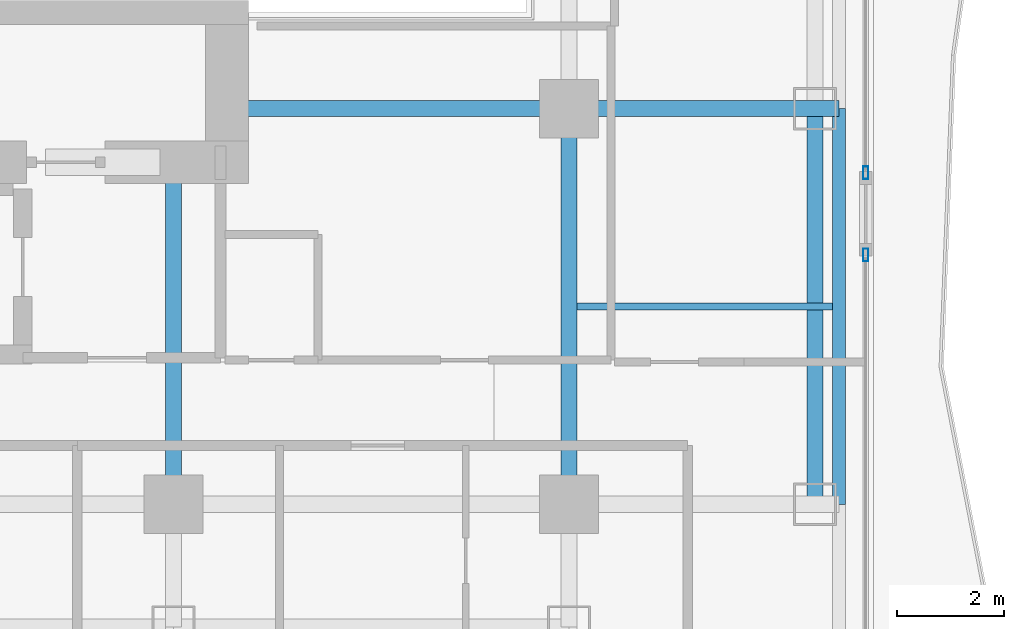
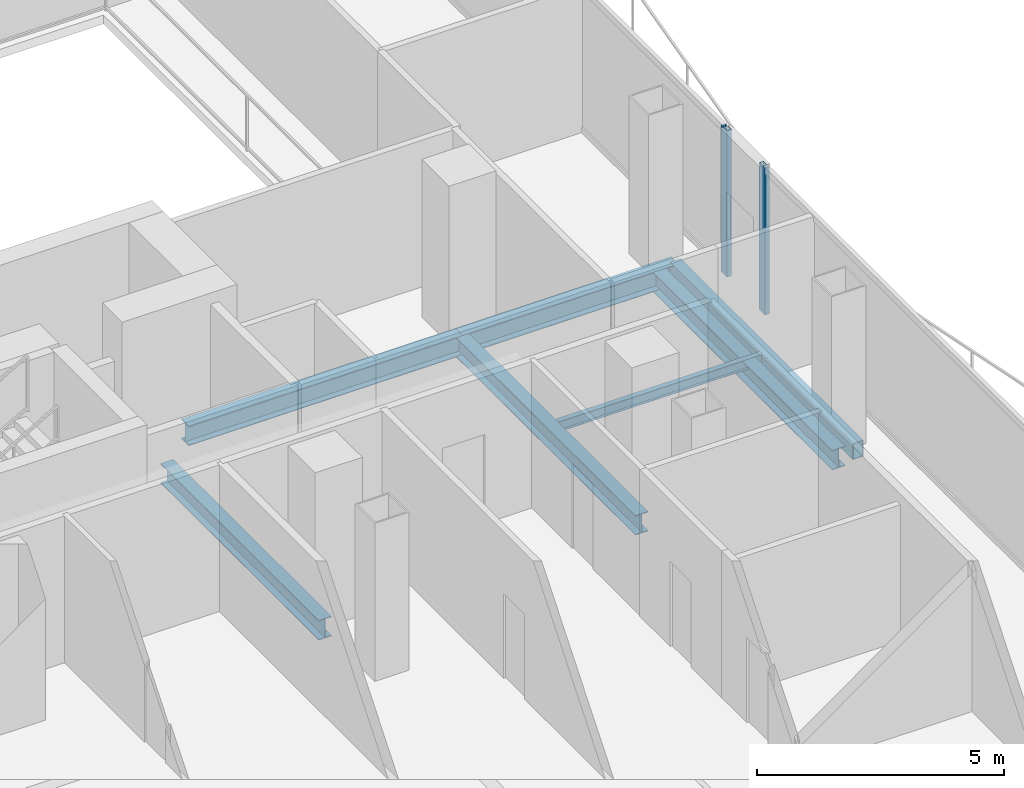
# One storey, part 9 of 23: 7 beams, 2 members, 2 elements without a shape of their own.
"""IFC4 building model written with IfcOpenShell, lengths in metres."""

import ifcopenshell
import ifcopenshell.guid

model = None  # the IFC model being written
_history = None  # IfcOwnerHistory: only IFC2X3 demands one
_inside = {}  # id of a spatial element -> (the spatial element, [elements in it])
_under = {}  # id of a project, library or spatial element -> (it, [spatial elements below it])
_declared = {}  # id of a project -> (the project, [libraries it declares])
_typed = {}  # id of a type object -> (the type object, [elements of that type])
_made_of = {}  # id of a material, layer set ... -> (it, [elements and type objects made of it])


def new_model(schema):
    """Start an empty IFC model of exactly this schema.

    Asked for "IFC4X3", IfcOpenShell would pick the latest addendum, in which some entities
    have other attributes; the version numbers below select the first issue.
    IFC2X3 requires an IfcOwnerHistory on every rooted entity: one is made here for all.
    """
    global model, _history
    if schema == "IFC4X3":
        model = ifcopenshell.file(schema_version=(4, 3, 0, 0))
    else:
        model = ifcopenshell.file(schema=schema)
    _inside.clear()
    _under.clear()
    _declared.clear()
    _typed.clear()
    _made_of.clear()
    _history = None
    if model.schema == "IFC2X3":
        org = make("IfcOrganization", Name="unknown")
        user = make(
            "IfcPersonAndOrganization",
            ThePerson=make("IfcPerson", FamilyName="unknown"),
            TheOrganization=org,
        )
        app = make(
            "IfcApplication",
            ApplicationDeveloper=org,
            Version="unknown",
            ApplicationFullName="unknown",
            ApplicationIdentifier="unknown",
        )
        _history = make(
            "IfcOwnerHistory",
            OwningUser=user,
            OwningApplication=app,
            ChangeAction="ADDED",
            CreationDate=0,
        )
    return model


def make(cls, **values):
    """One entity of the class cls with the attributes given. An attribute that is None is left unset."""
    return model.create_entity(
        cls, **{name: value for name, value in values.items() if value is not None}
    )


def rooted(cls, **values):
    """An entity with a GlobalId (a new one), such as an element, a storey or a relation."""
    return make(cls, GlobalId=ifcopenshell.guid.new(), OwnerHistory=_history, **values)


def si_unit(unit_type, name, prefix=None):
    """IfcSIUnit, for example si_unit("LENGTHUNIT", "METRE", prefix="MILLI")."""
    return make("IfcSIUnit", UnitType=unit_type, Prefix=prefix, Name=name)


def assignment(units):
    """IfcUnitAssignment: the units of a project."""
    return None if units is None else make("IfcUnitAssignment", Units=units)


def point(xyz):
    """IfcCartesianPoint."""
    return None if xyz is None else make("IfcCartesianPoint", Coordinates=xyz)


def direction(xyz):
    """IfcDirection."""
    return None if xyz is None else make("IfcDirection", DirectionRatios=xyz)


def frame(location, z_axis=None, x_axis=None):
    """IfcAxis2Placement3D, a coordinate frame: its origin and axes. An axis left out is left unset."""
    return make(
        "IfcAxis2Placement3D",
        Location=point(location),
        Axis=direction(z_axis),
        RefDirection=direction(x_axis),
    )


def frame_2d(location, x_axis=None):
    """IfcAxis2Placement2D, a coordinate frame in the plane: its origin and x axis."""
    return make(
        "IfcAxis2Placement2D", Location=point(location), RefDirection=direction(x_axis)
    )


def origin():
    """The frame at (0, 0, 0) with its axes left unset."""
    return frame((0.0, 0.0, 0.0))


def origin_2d():
    """The frame at (0, 0) in the plane with its x axis left unset."""
    return frame_2d((0.0, 0.0))


def place(relative_to, where):
    """IfcLocalPlacement: puts the frame where relative to a parent placement (None: the world)."""
    return make(
        "IfcLocalPlacement", PlacementRelTo=relative_to, RelativePlacement=where
    )


def context(
    kind, dimensions, precision=None, world=None, true_north=None, identifier=None
):
    """IfcGeometricRepresentationContext, for example the 3D "Model" context."""
    return make(
        "IfcGeometricRepresentationContext",
        ContextIdentifier=identifier,
        ContextType=kind,
        CoordinateSpaceDimension=dimensions,
        Precision=precision,
        WorldCoordinateSystem=world,
        TrueNorth=true_north,
    )


def subcontext(parent, identifier, kind, view, scale=None):
    """IfcGeometricRepresentationSubContext, for example "Body" below "Model"."""
    return make(
        "IfcGeometricRepresentationSubContext",
        ContextIdentifier=identifier,
        ContextType=kind,
        ParentContext=parent,
        TargetScale=scale,
        TargetView=view,
    )


def project(units=None, contexts=None):
    """IfcProject with its units and contexts."""
    return rooted(
        "IfcProject",
        Name="project",
        RepresentationContexts=contexts,
        UnitsInContext=assignment(units),
    )


def spatial(cls, under=None, at=None, **own):
    """A site, building, storey or space (cls), placed at a placement, below another one or the project."""
    s = rooted(cls, ObjectPlacement=at, **own)
    if under is not None:
        _under.setdefault(under.id(), (under, []))[1].append(s)
    return s


def profile(cls, at=None, kind="AREA", **sizes):
    """A parametric profile (cls). Its sizes go by their IFC names, for example OverallWidth=200.0."""
    return make(cls, ProfileType=kind, Position=at, **sizes)


def hollow_rectangle(**sizes):
    """IfcRectangleHollowProfileDef."""
    return profile("IfcRectangleHollowProfileDef", **sizes)


def i_section(**sizes):
    """IfcIShapeProfileDef."""
    return profile("IfcIShapeProfileDef", **sizes)


def extrude(swept, where, along, depth):
    """IfcExtrudedAreaSolid: the profile swept, set in the frame where, extruded along a direction by depth."""
    return make(
        "IfcExtrudedAreaSolid",
        SweptArea=swept,
        Position=where,
        ExtrudedDirection=direction(along),
        Depth=depth,
    )


def shape(context_of_items, identifier, shape_type, items):
    """IfcShapeRepresentation: the items that make up one representation, for example the "Body"."""
    return make(
        "IfcShapeRepresentation",
        ContextOfItems=context_of_items,
        RepresentationIdentifier=identifier,
        RepresentationType=shape_type,
        Items=items,
    )


def material(Name=None, Category=None):
    """IfcMaterial."""
    return make("IfcMaterial", Name=Name, Category=Category)


def layer(
    of_material, thickness, ventilated=None, Name=None, Category=None, Priority=None
):
    """IfcMaterialLayer: one layer of a wall or slab, of a material (None: an air gap)."""
    return make(
        "IfcMaterialLayer",
        Material=of_material,
        LayerThickness=thickness,
        IsVentilated=ventilated,
        Name=Name,
        Category=Category,
        Priority=Priority,
    )


def layer_set(layers, Name=None):
    """IfcMaterialLayerSet."""
    return make("IfcMaterialLayerSet", MaterialLayers=layers, LayerSetName=Name)


def material_profile(
    of_material, cross_section, Name=None, Category=None, Priority=None
):
    """IfcMaterialProfile: a cross section and its material."""
    return make(
        "IfcMaterialProfile",
        Name=Name,
        Material=of_material,
        Profile=cross_section,
        Priority=Priority,
        Category=Category,
    )


def profile_set(profiles, Name=None, composite=None):
    """IfcMaterialProfileSet."""
    return make(
        "IfcMaterialProfileSet",
        Name=Name,
        MaterialProfiles=profiles,
        CompositeProfile=composite,
    )


def made_of(thing, what):
    """Note that an element or type object is made of a material, layer set ...; save() writes the relation."""
    if what is not None:
        _made_of.setdefault(what.id(), (what, []))[1].append(thing)
    return thing


def type_object(cls, material=None, **own):
    """A type object (cls), such as IfcWallType, which elements share."""
    return made_of(rooted(cls, **own), material)


def element(
    cls,
    number,
    at=None,
    inside=None,
    cuts=None,
    type_object=None,
    material=None,
    context=None,
    identifier="Body",
    shape_type=None,
    held_by="IfcProductDefinitionShape",
    body=None,
    shapes=None,
    **own,
):
    """One element of the class cls, such as IfcWall. Its Tag is "e" and its number.

    at: its placement. inside: the storey or other place that contains it. cuts: it is an
    opening in that element (IfcRelVoidsElement). A single representation is given by context,
    identifier, shape_type and body (its items); several are given by shapes. held_by: the class
    of the entity that holds the representations. save() writes the other relations.
    """
    e = rooted(cls, Tag="e%d" % number, ObjectPlacement=at, **own)
    if body is not None:
        shapes = [shape(context, identifier, shape_type, body)]
    if shapes is not None:
        e.Representation = make(held_by, Representations=shapes)
    if inside is not None:
        _inside.setdefault(inside.id(), (inside, []))[1].append(e)
    if cuts is not None:
        rooted(
            "IfcRelVoidsElement", RelatingBuildingElement=cuts, RelatedOpeningElement=e
        )
    if type_object is not None:
        _typed.setdefault(type_object.id(), (type_object, []))[1].append(e)
    return made_of(e, material)


def aggregate(whole, parts):
    """IfcRelAggregates: a whole, such as a stair, and the parts it consists of."""
    return rooted("IfcRelAggregates", RelatingObject=whole, RelatedObjects=parts)


def save(model, path):
    """Write the relations noted so far, then the file.

    IfcRelAggregates (storeys below a building ...), IfcRelContainedInSpatialStructure (elements
    in a storey), IfcRelDefinesByType, IfcRelAssociatesMaterial and IfcRelDeclares: one each for
    every whole, place, type object, material and project.
    """
    for whole, parts in _under.values():
        aggregate(whole, parts)
    for where, things in _inside.values():
        rooted(
            "IfcRelContainedInSpatialStructure",
            RelatedElements=things,
            RelatingStructure=where,
        )
    for kind, things in _typed.values():
        rooted("IfcRelDefinesByType", RelatedObjects=things, RelatingType=kind)
    for what, things in _made_of.values():
        rooted("IfcRelAssociatesMaterial", RelatedObjects=things, RelatingMaterial=what)
    for by, libraries in _declared.values():
        rooted("IfcRelDeclares", RelatingContext=by, RelatedDefinitions=libraries)
    model.write(path)


model = new_model("IFC4")

# Units and contexts
model_context = context("Model", 3, precision=1e-05, world=origin(), true_north=direction((0.0, 1.0)))
body_context = subcontext(model_context, "Body", "Model", "MODEL_VIEW")
ifc_project = project(units=[si_unit("LENGTHUNIT", "METRE"), si_unit("AREAUNIT", "SQUARE_METRE"), si_unit("VOLUMEUNIT", "CUBIC_METRE"), si_unit("PLANEANGLEUNIT", "RADIAN"), si_unit("MASSUNIT", "GRAM", prefix="KILO")], contexts=[model_context])

# Site, building, storey
site_placement = place(None, origin())
site = spatial("IfcSite", under=ifc_project, at=site_placement, CompositionType="ELEMENT")
building_placement = place(site_placement, origin())
building = spatial("IfcBuilding", under=site, at=building_placement, Name="Khorvyn Point Tower", CompositionType="ELEMENT")
storey_placement = place(building_placement, frame((0.0, 0.0, 207.0)))
storey = spatial("IfcBuildingStorey", under=building, at=storey_placement, Name="L51", CompositionType="ELEMENT", Elevation=207.0)

# Curtain wall, member
ifc_material_1 = material(Name="Anodised aluminium 6063-T6 and laminated Low-E glass", Category="aluminium")
ifc_layer = layer(ifc_material_1, 0.18994140625)
ifc_layer_set = layer_set([ifc_layer], Name="Stick-Built Acoustic Curtain Wall CW-SYS-03")
curtain_wall_type = type_object("IfcCurtainWallType", Name="Stick-Built Acoustic Curtain Wall CW-SYS-03", PredefinedType="NOTDEFINED", material=ifc_layer_set)
curtain_wall_1_placement = place(storey_placement, origin())
curtain_wall_1 = element("IfcCurtainWall", 1, at=curtain_wall_1_placement, inside=storey, type_object=curtain_wall_type, Name="Curtain Wall", PredefinedType="NOTDEFINED")
ifc_material_2 = material(Name="Anodised aluminium 6063-T6", Category="aluminium")
ifc_material_profile_1 = material_profile(ifc_material_2, hollow_rectangle(XDim=0.10009765625, YDim=0.239990234375, WallThickness=0.0048828125, at=origin_2d()))
ifc_profile_set_1 = profile_set([ifc_material_profile_1], Name="Anodised aluminium 6063-T6 ALU-MUL-100x240")
member_type = type_object("IfcMemberType", Name="Anodised Aluminium 6063-T6 Mullion ALU-MUL-100x240", PredefinedType="MULLION", material=ifc_profile_set_1)
member_1_placement = place(storey_placement, frame((20.35009765625, -8.596923828125, 0.0), z_axis=(0.0, 0.0, 1.0), x_axis=(1.0, 0.0, 0.0)))
member_1 = element("IfcMember", 2, at=member_1_placement, type_object=member_type, Name="Transom", PredefinedType="MULLION", context=body_context, shape_type="SweptSolid", body=[
    extrude(hollow_rectangle(XDim=0.10009765625, YDim=0.239990234375, WallThickness=0.0048828125, at=origin_2d()), origin(), (0.0, 0.0, 1.0), 3.6201171875),
])
aggregate(curtain_wall_1, [member_1])

curtain_wall_2_placement = place(storey_placement, origin())
curtain_wall_2 = element("IfcCurtainWall", 3, at=curtain_wall_2_placement, inside=storey, type_object=curtain_wall_type, Name="Curtain Wall", PredefinedType="NOTDEFINED")
member_2_placement = place(storey_placement, frame((20.35009765625, -10.136962890625, 0.0), z_axis=(0.0, 0.0, 1.0), x_axis=(1.0, 0.0, 0.0)))
member_2 = element("IfcMember", 4, at=member_2_placement, type_object=member_type, Name="Transom", PredefinedType="MULLION", context=body_context, shape_type="SweptSolid", body=[
    extrude(hollow_rectangle(XDim=0.10009765625, YDim=0.239990234375, WallThickness=0.0048828125, at=origin_2d()), origin(), (0.0, 0.0, 1.0), 3.6201171875),
])
aggregate(curtain_wall_2, [member_2])

# Beams
ifc_material_3 = material(Name="Steel S355", Category="steel")
ifc_material_profile_2 = material_profile(ifc_material_3, i_section(OverallWidth=0.125, OverallDepth=0.25, WebThickness=0.006103515625, FlangeThickness=0.009033203125, at=origin_2d()))
ifc_profile_set_2 = profile_set([ifc_material_profile_2], Name="Steel S355 H250x125x6x9")
beam_type_1 = type_object("IfcBeamType", Name="Steel S355 Joist H250x125x6x9", PredefinedType="JOIST", material=ifc_profile_set_2)
beam_1_placement = place(storey_placement, frame((14.949951171875, -11.10009765625, -0.344970703125), z_axis=(1.0, 0.0, 0.0), x_axis=(0.0, 1.0, 0.0)))
element("IfcBeam", 5, at=beam_1_placement, inside=storey, type_object=beam_type_1, Name="Beam", PredefinedType="JOIST", context=body_context, shape_type="SweptSolid", body=[
    extrude(i_section(OverallWidth=0.125, OverallDepth=0.25, WebThickness=0.006103515625, FlangeThickness=0.009033203125, at=origin_2d()), origin(), (0.0, 0.0, 1.0), 4.775146484375),
])
ifc_material_profile_3 = material_profile(ifc_material_3, i_section(OverallWidth=0.300048828125, OverallDepth=0.488037109375, WebThickness=0.010986328125, FlangeThickness=0.01806640625, at=origin_2d()))
ifc_profile_set_3 = profile_set([ifc_material_profile_3], Name="Steel S355 H488x300x11x18")
beam_type_2 = type_object("IfcBeamType", Name="Steel S355 Spandrel H488x300x11x18", PredefinedType="SPANDREL", material=ifc_profile_set_3)
beam_2_placement = place(storey_placement, frame((8.39990234375, -7.39990234375, -0.464111328125), z_axis=(1.0, 0.0, 0.0), x_axis=(0.0, 1.0, 0.0)))
element("IfcBeam", 6, at=beam_2_placement, inside=storey, type_object=beam_type_2, Name="Beam", PredefinedType="SPANDREL", context=body_context, shape_type="SweptSolid", body=[
    extrude(i_section(OverallWidth=0.300048828125, OverallDepth=0.488037109375, WebThickness=0.010986328125, FlangeThickness=0.01806640625, at=origin_2d()), origin(), (0.0, 0.0, 1.0), 6.400146484375),
])
beam_3_placement = place(storey_placement, frame((14.800048828125, -7.39990234375, -0.464111328125), z_axis=(1.0, 0.0, 0.0), x_axis=(0.0, 1.0, 0.0)))
element("IfcBeam", 7, at=beam_3_placement, inside=storey, type_object=beam_type_2, Name="Beam", PredefinedType="SPANDREL", context=body_context, shape_type="SweptSolid", body=[
    extrude(i_section(OverallWidth=0.300048828125, OverallDepth=0.488037109375, WebThickness=0.010986328125, FlangeThickness=0.01806640625, at=origin_2d()), origin(), (0.0, 0.0, 1.0), 5.050048828125),
])
beam_4_placement = place(storey_placement, frame((14.800048828125, -14.800048828125, -0.464111328125), z_axis=(0.0, 1.0, 0.0), x_axis=(-1.0, 0.0, 0.0)))
element("IfcBeam", 8, at=beam_4_placement, inside=storey, type_object=beam_type_2, Name="Beam", PredefinedType="SPANDREL", context=body_context, shape_type="SweptSolid", body=[
    extrude(i_section(OverallWidth=0.300048828125, OverallDepth=0.488037109375, WebThickness=0.010986328125, FlangeThickness=0.01806640625, at=origin_2d()), origin(), (0.0, 0.0, 1.0), 7.400146484375),
])
beam_5_placement = place(storey_placement, frame((7.39990234375, -14.800048828125, -0.464111328125), z_axis=(0.0, 1.0, 0.0), x_axis=(-1.0, 0.0, 0.0)))
element("IfcBeam", 9, at=beam_5_placement, inside=storey, type_object=beam_type_2, Name="Beam", PredefinedType="SPANDREL", context=body_context, shape_type="SweptSolid", body=[
    extrude(i_section(OverallWidth=0.300048828125, OverallDepth=0.488037109375, WebThickness=0.010986328125, FlangeThickness=0.01806640625, at=origin_2d()), origin(), (0.0, 0.0, 1.0), 6.400146484375),
])
beam_6_placement = place(storey_placement, frame((19.39990234375, -14.800048828125, -0.464111328125), z_axis=(0.0, 1.0, 0.0), x_axis=(-1.0, 0.0, 0.0)))
element("IfcBeam", 10, at=beam_6_placement, inside=storey, type_object=beam_type_2, Name="Beam", PredefinedType="SPANDREL", context=body_context, shape_type="SweptSolid", body=[
    extrude(i_section(OverallWidth=0.300048828125, OverallDepth=0.488037109375, WebThickness=0.010986328125, FlangeThickness=0.01806640625, at=origin_2d()), origin(), (0.0, 0.0, 1.0), 7.400146484375),
])
ifc_material_profile_4 = material_profile(ifc_material_3, hollow_rectangle(XDim=0.25, YDim=0.39990234375, WallThickness=0.01611328125, at=origin_2d()))
ifc_profile_set_4 = profile_set([ifc_material_profile_4], Name="Steel S355 RHS400x250x16")
beam_type_3 = type_object("IfcBeamType", Name="Steel S355 Spandrel RHS400x250x16", PredefinedType="SPANDREL", material=ifc_profile_set_4)
beam_7_placement = place(storey_placement, frame((19.85009765625, -14.800048828125, -0.419921875), z_axis=(0.0, 1.0, 0.0), x_axis=(-1.0, 0.0, 0.0)))
element("IfcBeam", 11, at=beam_7_placement, inside=storey, type_object=beam_type_3, Name="Beam", PredefinedType="SPANDREL", context=body_context, shape_type="SweptSolid", body=[
    extrude(hollow_rectangle(XDim=0.25, YDim=0.39990234375, WallThickness=0.01611328125, at=origin_2d()), origin(), (0.0, 0.0, 1.0), 7.400146484375),
])

save(model, "model.ifc")
